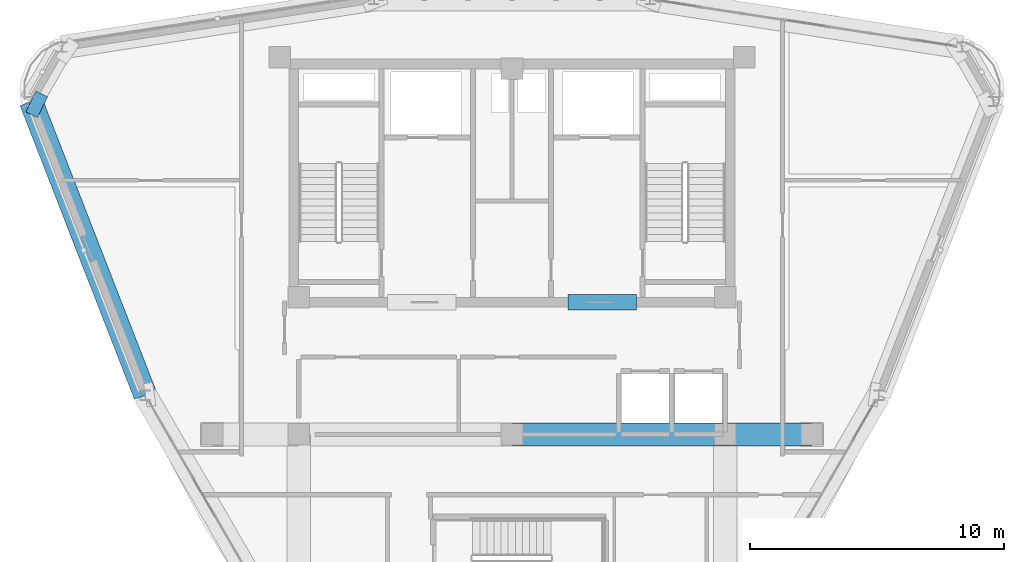
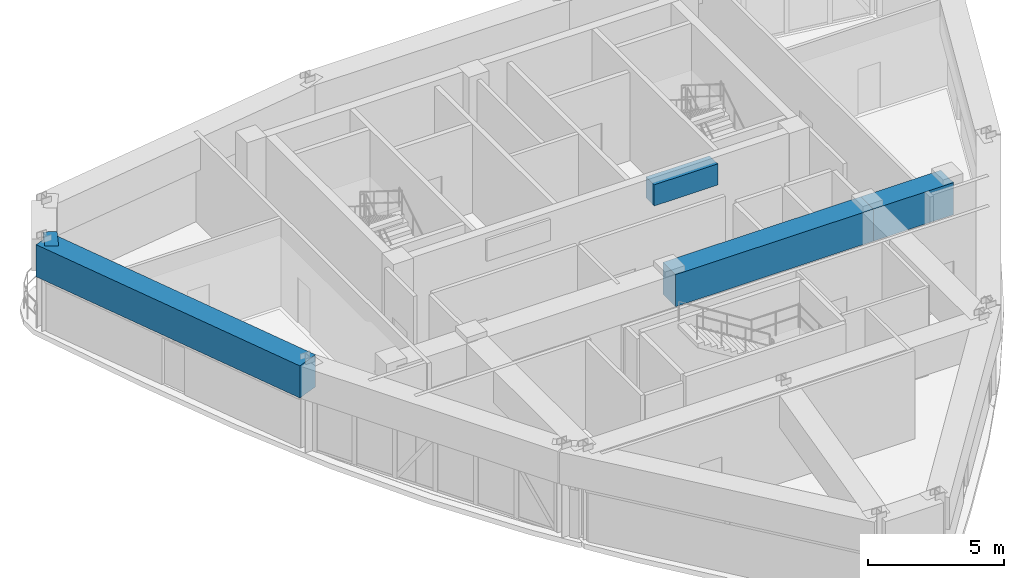
# One storey, part 6 of 16: 5 beams.
"""IFC4 building model written with IfcOpenShell, lengths in metres."""

from ifc_helpers import new_model, si_unit, derived_unit, direction, frame, origin, origin_2d, place, context, subcontext, project, spatial, rectangle, extrude, source, transform, mapped, material, material_profile, profile_set, type_object, element, save


model = new_model("IFC4")

# Units and contexts
model_context = context("Model", 3, precision=1e-05, world=origin(), true_north=direction((0.0, 1.0)))
body_context = subcontext(model_context, "Body", "Model", "MODEL_VIEW")
ifc_project = project(units=[si_unit("LENGTHUNIT", "METRE"), si_unit("AREAUNIT", "SQUARE_METRE"), si_unit("VOLUMEUNIT", "CUBIC_METRE"), si_unit("PLANEANGLEUNIT", "RADIAN"), si_unit("MASSUNIT", "GRAM", prefix="KILO"), derived_unit("THERMALTRANSMITTANCEUNIT", [(si_unit("POWERUNIT", "WATT"), 1), (si_unit("LENGTHUNIT", "METRE"), -2), (si_unit("THERMODYNAMICTEMPERATUREUNIT", "KELVIN"), -1)])], contexts=[model_context])

# Site, building, storey
site_placement = place(None, origin())
site = spatial("IfcSite", under=ifc_project, at=site_placement, CompositionType="ELEMENT")
building_placement = place(site_placement, origin())
building = spatial("IfcBuilding", under=site, at=building_placement, Name="Korsvarv Bourse and Concert Hall", CompositionType="ELEMENT")
storey_placement = place(building_placement, frame((0.0, 0.0, 283.800048828125)))
storey = spatial("IfcBuildingStorey", under=building, at=storey_placement, Name="L74", CompositionType="ELEMENT", Elevation=283.800048828125)

# Beams
ifc_material_1 = material(Name="Concrete C55/67", Category="concrete")
ifc_material_profile_1 = material_profile(ifc_material_1, rectangle(XDim=0.60009765625, YDim=0.949951171875, at=origin_2d()), Name="RC-BM 600x950")
ifc_profile_set_1 = profile_set([ifc_material_profile_1], Name="Concrete C55/67")
beam_type_1 = type_object("IfcBeamType", Name="BM-CPL", PredefinedType="LINTEL", material=ifc_profile_set_1)
shared_shape_1 = source(origin(), body_context, "Body", "SweptSolid", [
    extrude(rectangle(XDim=0.60009765625, YDim=0.949951171875, at=origin_2d()), origin(), (0.0, 0.0, 1.0), 2.699951171875),
])
beam_1_placement = place(storey_placement, frame((38.199951171875, 37.610107421875, 3.48486328125), z_axis=(1.0, 0.0, 0.0), x_axis=(0.0, 1.0, 0.0)))
element("IfcBeam", 1, at=beam_1_placement, inside=storey, type_object=beam_type_1, Name="L74 Core Coupling Beam East", PredefinedType="LINTEL", context=body_context, shape_type="MappedRepresentation", body=[
    mapped(shared_shape_1, transform((0.0, 0.0, 0.0), scale=1.0)),
])
ifc_material_2 = material(Name="Concrete C50/60", Category="concrete")
ifc_material_profile_2 = material_profile(ifc_material_2, rectangle(XDim=0.919921875, YDim=1.43994140625, at=origin_2d()), Name="RC-BM 920x1440")
ifc_profile_set_2 = profile_set([ifc_material_profile_2], Name="Concrete C50/60")
beam_type_2 = type_object("IfcBeamType", Name="BM-TR-144", PredefinedType="BEAM", material=ifc_profile_set_2)
shared_shape_2 = source(origin(), body_context, "Body", "SweptSolid", [
    extrude(rectangle(XDim=0.919921875, YDim=1.43994140625, at=origin_2d()), origin(), (0.0, 0.0, 1.0), 3.400146484375),
])
beam_2_placement = place(storey_placement, frame((44.39990234375, 32.39990234375, 3.239990234375), z_axis=(1.0, 0.0, 0.0), x_axis=(0.0, 1.0, 0.0)))
element("IfcBeam", 2, at=beam_2_placement, inside=storey, type_object=beam_type_2, Name="L74 beam B-TR4", PredefinedType="BEAM", context=body_context, shape_type="MappedRepresentation", body=[
    mapped(shared_shape_2, transform((0.0, 0.0, 0.0), scale=1.0)),
])
shared_shape_3 = source(origin(), body_context, "Body", "SweptSolid", [
    extrude(rectangle(XDim=0.919921875, YDim=1.43994140625, at=origin_2d()), origin(), (0.0, 0.0, 1.0), 8.39990234375),
])
beam_3_placement = place(storey_placement, frame((36.0, 32.39990234375, 3.239990234375), z_axis=(1.0, 0.0, 0.0), x_axis=(0.0, 1.0, 0.0)))
element("IfcBeam", 3, at=beam_3_placement, inside=storey, type_object=beam_type_2, Name="L74 beam B-TR4", PredefinedType="BEAM", context=body_context, shape_type="MappedRepresentation", body=[
    mapped(shared_shape_3, transform((0.0, 0.0, 0.0), scale=1.0)),
])
shared_shape_4 = source(origin(), body_context, "Body", "SweptSolid", [
    extrude(rectangle(XDim=0.919921875, YDim=1.43994140625, at=origin_2d()), origin(), (0.0, 0.0, 1.0), 0.510498046875),
])
beam_4_placement = place(storey_placement, frame((17.05126953125, 45.513916015625, 3.239990234375), z_axis=(0.895857489592, -0.444341488431, 0.0), x_axis=(0.444341488431, 0.895857489592, 0.0)))
element("IfcBeam", 4, at=beam_4_placement, inside=storey, type_object=beam_type_2, Name="L74 beam B-TR4", PredefinedType="BEAM", context=body_context, shape_type="MappedRepresentation", body=[
    mapped(shared_shape_4, transform((0.0, 0.0, 0.0), scale=1.0)),
])
shared_shape_5 = source(origin(), body_context, "Body", "SweptSolid", [
    extrude(rectangle(XDim=0.919921875, YDim=1.43994140625, at=origin_2d()), origin(), (0.0, 0.0, 1.0), 12.417236328125),
])
beam_5_placement = place(storey_placement, frame((17.05126953125, 45.513916015625, 3.239990234375), z_axis=(0.362907333701, -0.931825234229, 0.0), x_axis=(0.931825234229, 0.362907333701, 0.0)))
element("IfcBeam", 5, at=beam_5_placement, inside=storey, type_object=beam_type_2, Name="L74 beam B-TR4", PredefinedType="BEAM", context=body_context, shape_type="MappedRepresentation", body=[
    mapped(shared_shape_5, transform((0.0, 0.0, 0.0), scale=1.0)),
])

save(model, "model.ifc")
